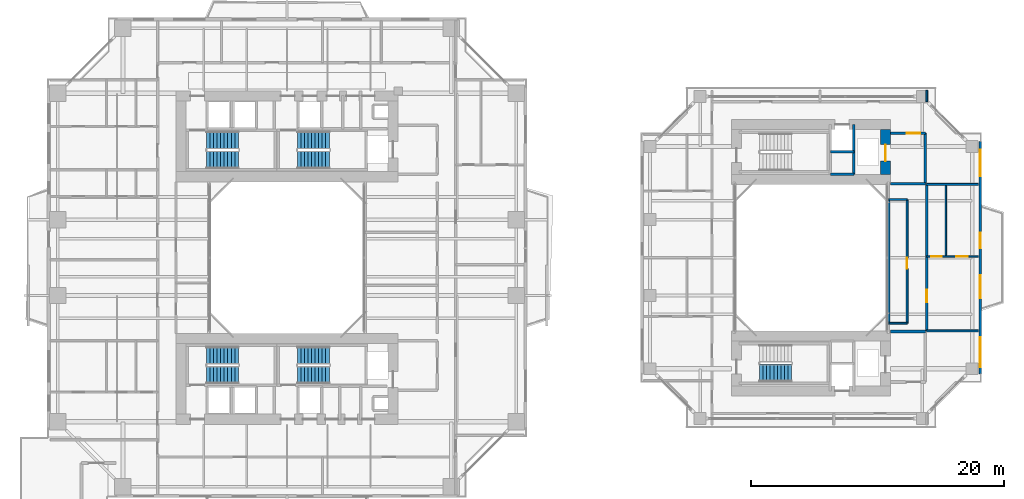
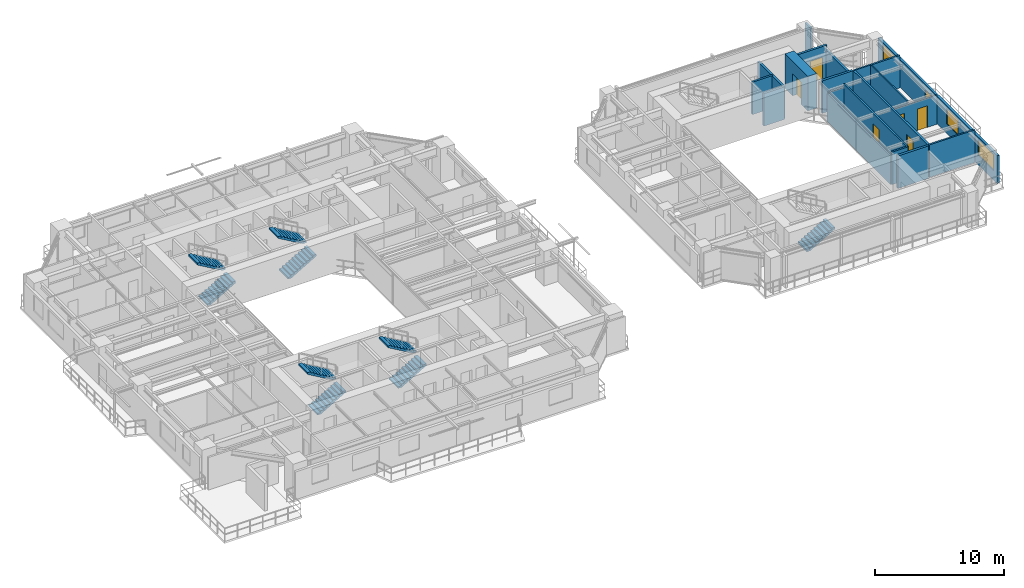
# One storey, part 18 of 24: 19 walls, 9 stair flights, 7 doors, 3 windows, 10 openings, 5 elements without a shape of their own.
"""IFC4 building model written with IfcOpenShell, lengths in metres."""

import ifcopenshell
import ifcopenshell.guid

model = None  # the IFC model being written
_history = None  # IfcOwnerHistory: only IFC2X3 demands one
_inside = {}  # id of a spatial element -> (the spatial element, [elements in it])
_under = {}  # id of a project, library or spatial element -> (it, [spatial elements below it])
_declared = {}  # id of a project -> (the project, [libraries it declares])
_typed = {}  # id of a type object -> (the type object, [elements of that type])
_made_of = {}  # id of a material, layer set ... -> (it, [elements and type objects made of it])


def new_model(schema):
    """Start an empty IFC model of exactly this schema.

    Asked for "IFC4X3", IfcOpenShell would pick the latest addendum, in which some entities
    have other attributes; the version numbers below select the first issue.
    IFC2X3 requires an IfcOwnerHistory on every rooted entity: one is made here for all.
    """
    global model, _history
    if schema == "IFC4X3":
        model = ifcopenshell.file(schema_version=(4, 3, 0, 0))
    else:
        model = ifcopenshell.file(schema=schema)
    _inside.clear()
    _under.clear()
    _declared.clear()
    _typed.clear()
    _made_of.clear()
    _history = None
    if model.schema == "IFC2X3":
        org = make("IfcOrganization", Name="unknown")
        user = make(
            "IfcPersonAndOrganization",
            ThePerson=make("IfcPerson", FamilyName="unknown"),
            TheOrganization=org,
        )
        app = make(
            "IfcApplication",
            ApplicationDeveloper=org,
            Version="unknown",
            ApplicationFullName="unknown",
            ApplicationIdentifier="unknown",
        )
        _history = make(
            "IfcOwnerHistory",
            OwningUser=user,
            OwningApplication=app,
            ChangeAction="ADDED",
            CreationDate=0,
        )
    return model


def make(cls, **values):
    """One entity of the class cls with the attributes given. An attribute that is None is left unset."""
    return model.create_entity(
        cls, **{name: value for name, value in values.items() if value is not None}
    )


def rooted(cls, **values):
    """An entity with a GlobalId (a new one), such as an element, a storey or a relation."""
    return make(cls, GlobalId=ifcopenshell.guid.new(), OwnerHistory=_history, **values)


def si_unit(unit_type, name, prefix=None):
    """IfcSIUnit, for example si_unit("LENGTHUNIT", "METRE", prefix="MILLI")."""
    return make("IfcSIUnit", UnitType=unit_type, Prefix=prefix, Name=name)


def assignment(units):
    """IfcUnitAssignment: the units of a project."""
    return None if units is None else make("IfcUnitAssignment", Units=units)


def point(xyz):
    """IfcCartesianPoint."""
    return None if xyz is None else make("IfcCartesianPoint", Coordinates=xyz)


def direction(xyz):
    """IfcDirection."""
    return None if xyz is None else make("IfcDirection", DirectionRatios=xyz)


def frame(location, z_axis=None, x_axis=None):
    """IfcAxis2Placement3D, a coordinate frame: its origin and axes. An axis left out is left unset."""
    return make(
        "IfcAxis2Placement3D",
        Location=point(location),
        Axis=direction(z_axis),
        RefDirection=direction(x_axis),
    )


def frame_2d(location, x_axis=None):
    """IfcAxis2Placement2D, a coordinate frame in the plane: its origin and x axis."""
    return make(
        "IfcAxis2Placement2D", Location=point(location), RefDirection=direction(x_axis)
    )


def origin():
    """The frame at (0, 0, 0) with its axes left unset."""
    return frame((0.0, 0.0, 0.0))


def place(relative_to, where):
    """IfcLocalPlacement: puts the frame where relative to a parent placement (None: the world)."""
    return make(
        "IfcLocalPlacement", PlacementRelTo=relative_to, RelativePlacement=where
    )


def context(
    kind, dimensions, precision=None, world=None, true_north=None, identifier=None
):
    """IfcGeometricRepresentationContext, for example the 3D "Model" context."""
    return make(
        "IfcGeometricRepresentationContext",
        ContextIdentifier=identifier,
        ContextType=kind,
        CoordinateSpaceDimension=dimensions,
        Precision=precision,
        WorldCoordinateSystem=world,
        TrueNorth=true_north,
    )


def subcontext(parent, identifier, kind, view, scale=None):
    """IfcGeometricRepresentationSubContext, for example "Body" below "Model"."""
    return make(
        "IfcGeometricRepresentationSubContext",
        ContextIdentifier=identifier,
        ContextType=kind,
        ParentContext=parent,
        TargetScale=scale,
        TargetView=view,
    )


def project(units=None, contexts=None):
    """IfcProject with its units and contexts."""
    return rooted(
        "IfcProject",
        Name="project",
        RepresentationContexts=contexts,
        UnitsInContext=assignment(units),
    )


def spatial(cls, under=None, at=None, **own):
    """A site, building, storey or space (cls), placed at a placement, below another one or the project."""
    s = rooted(cls, ObjectPlacement=at, **own)
    if under is not None:
        _under.setdefault(under.id(), (under, []))[1].append(s)
    return s


def polyline(points):
    """IfcPolyline through the points."""
    return make("IfcPolyline", Points=[point(p) for p in points])


def profile(cls, at=None, kind="AREA", **sizes):
    """A parametric profile (cls). Its sizes go by their IFC names, for example OverallWidth=200.0."""
    return make(cls, ProfileType=kind, Position=at, **sizes)


def rectangle(**sizes):
    """IfcRectangleProfileDef."""
    return profile("IfcRectangleProfileDef", **sizes)


def outline(outer, holes=None, kind="AREA"):
    """IfcArbitraryClosedProfileDef: a profile drawn as a closed curve; with holes, ...WithVoids."""
    if holes is None:
        return make("IfcArbitraryClosedProfileDef", ProfileType=kind, OuterCurve=outer)
    return make(
        "IfcArbitraryProfileDefWithVoids",
        ProfileType=kind,
        OuterCurve=outer,
        InnerCurves=holes,
    )


def extrude(swept, where, along, depth):
    """IfcExtrudedAreaSolid: the profile swept, set in the frame where, extruded along a direction by depth."""
    return make(
        "IfcExtrudedAreaSolid",
        SweptArea=swept,
        Position=where,
        ExtrudedDirection=direction(along),
        Depth=depth,
    )


def shape(context_of_items, identifier, shape_type, items):
    """IfcShapeRepresentation: the items that make up one representation, for example the "Body"."""
    return make(
        "IfcShapeRepresentation",
        ContextOfItems=context_of_items,
        RepresentationIdentifier=identifier,
        RepresentationType=shape_type,
        Items=items,
    )


def source(mapping_origin, context_of_items, identifier, shape_type, items):
    """IfcRepresentationMap: a shape defined once, which mapped items show again and again."""
    return make(
        "IfcRepresentationMap",
        MappingOrigin=mapping_origin,
        MappedRepresentation=shape(context_of_items, identifier, shape_type, items),
    )


def transform(
    local_origin,
    x_axis=None,
    y_axis=None,
    z_axis=None,
    scale=None,
    scale2=None,
    scale3=None,
    uniform=True,
):
    """IfcCartesianTransformationOperator3D, or its non-uniform kind. x_axis, y_axis, z_axis: its Axis1, 2, 3."""
    if uniform:
        return make(
            "IfcCartesianTransformationOperator3D",
            Axis1=direction(x_axis),
            Axis2=direction(y_axis),
            LocalOrigin=point(local_origin),
            Scale=scale,
            Axis3=direction(z_axis),
        )
    return make(
        "IfcCartesianTransformationOperator3DnonUniform",
        Axis1=direction(x_axis),
        Axis2=direction(y_axis),
        LocalOrigin=point(local_origin),
        Scale=scale,
        Axis3=direction(z_axis),
        Scale2=scale2,
        Scale3=scale3,
    )


def mapped(mapping_source, mapping_target):
    """IfcMappedItem: shows the shape of a source again, moved by a transform."""
    return make(
        "IfcMappedItem", MappingSource=mapping_source, MappingTarget=mapping_target
    )


def material(Name=None, Category=None):
    """IfcMaterial."""
    return make("IfcMaterial", Name=Name, Category=Category)


def layer(
    of_material, thickness, ventilated=None, Name=None, Category=None, Priority=None
):
    """IfcMaterialLayer: one layer of a wall or slab, of a material (None: an air gap)."""
    return make(
        "IfcMaterialLayer",
        Material=of_material,
        LayerThickness=thickness,
        IsVentilated=ventilated,
        Name=Name,
        Category=Category,
        Priority=Priority,
    )


def layer_set(layers, Name=None):
    """IfcMaterialLayerSet."""
    return make("IfcMaterialLayerSet", MaterialLayers=layers, LayerSetName=Name)


def made_of(thing, what):
    """Note that an element or type object is made of a material, layer set ...; save() writes the relation."""
    if what is not None:
        _made_of.setdefault(what.id(), (what, []))[1].append(thing)
    return thing


def type_object(cls, material=None, **own):
    """A type object (cls), such as IfcWallType, which elements share."""
    return made_of(rooted(cls, **own), material)


def element(
    cls,
    number,
    at=None,
    inside=None,
    cuts=None,
    type_object=None,
    material=None,
    context=None,
    identifier="Body",
    shape_type=None,
    held_by="IfcProductDefinitionShape",
    body=None,
    shapes=None,
    **own,
):
    """One element of the class cls, such as IfcWall. Its Tag is "e" and its number.

    at: its placement. inside: the storey or other place that contains it. cuts: it is an
    opening in that element (IfcRelVoidsElement). A single representation is given by context,
    identifier, shape_type and body (its items); several are given by shapes. held_by: the class
    of the entity that holds the representations. save() writes the other relations.
    """
    e = rooted(cls, Tag="e%d" % number, ObjectPlacement=at, **own)
    if body is not None:
        shapes = [shape(context, identifier, shape_type, body)]
    if shapes is not None:
        e.Representation = make(held_by, Representations=shapes)
    if inside is not None:
        _inside.setdefault(inside.id(), (inside, []))[1].append(e)
    if cuts is not None:
        rooted(
            "IfcRelVoidsElement", RelatingBuildingElement=cuts, RelatedOpeningElement=e
        )
    if type_object is not None:
        _typed.setdefault(type_object.id(), (type_object, []))[1].append(e)
    return made_of(e, material)


def fill(opening, filler):
    """IfcRelFillsElement: the door or window that sits in an opening."""
    return rooted(
        "IfcRelFillsElement",
        RelatingOpeningElement=opening,
        RelatedBuildingElement=filler,
    )


def aggregate(whole, parts):
    """IfcRelAggregates: a whole, such as a stair, and the parts it consists of."""
    return rooted("IfcRelAggregates", RelatingObject=whole, RelatedObjects=parts)


def save(model, path):
    """Write the relations noted so far, then the file.

    IfcRelAggregates (storeys below a building ...), IfcRelContainedInSpatialStructure (elements
    in a storey), IfcRelDefinesByType, IfcRelAssociatesMaterial and IfcRelDeclares: one each for
    every whole, place, type object, material and project.
    """
    for whole, parts in _under.values():
        aggregate(whole, parts)
    for where, things in _inside.values():
        rooted(
            "IfcRelContainedInSpatialStructure",
            RelatedElements=things,
            RelatingStructure=where,
        )
    for kind, things in _typed.values():
        rooted("IfcRelDefinesByType", RelatedObjects=things, RelatingType=kind)
    for what, things in _made_of.values():
        rooted("IfcRelAssociatesMaterial", RelatedObjects=things, RelatingMaterial=what)
    for by, libraries in _declared.values():
        rooted("IfcRelDeclares", RelatingContext=by, RelatedDefinitions=libraries)
    model.write(path)


model = new_model("IFC4")

# Units and contexts
model_context = context("Model", 3, precision=1e-05, world=origin(), true_north=direction((0.0, 1.0)))
body_context = subcontext(model_context, "Body", "Model", "MODEL_VIEW")
ifc_project = project(units=[si_unit("LENGTHUNIT", "METRE"), si_unit("AREAUNIT", "SQUARE_METRE"), si_unit("VOLUMEUNIT", "CUBIC_METRE"), si_unit("PLANEANGLEUNIT", "RADIAN"), si_unit("MASSUNIT", "GRAM", prefix="KILO"), si_unit("THERMODYNAMICTEMPERATUREUNIT", "KELVIN"), si_unit("POWERUNIT", "WATT")], contexts=[model_context])

# Site, building, storey
site_placement = place(None, origin())
site = spatial("IfcSite", under=ifc_project, at=site_placement, CompositionType="ELEMENT")
building_placement = place(site_placement, origin())
building = spatial("IfcBuilding", under=site, at=building_placement, Name="Qiaomeng Ring Towers", CompositionType="ELEMENT")
storey_placement = place(building_placement, frame((0.0, 0.0, 63.25)))
storey = spatial("IfcBuildingStorey", under=building, at=storey_placement, Name="L17", CompositionType="ELEMENT", Elevation=63.25)

# Wall, openings, windows, door
ifc_material_1 = material(Name="Precast concrete C40", Category="concrete")
ifc_layer_1 = layer(ifc_material_1, 0.219970703125, Name="Precast concrete C40")
ifc_layer_set_1 = layer_set([ifc_layer_1], Name="Precast concrete C40")
wall_type_1 = type_object("IfcWallType", Name="ARC-WL-EW2", PredefinedType="STANDARD", material=ifc_layer_set_1)
wall_1_placement = place(storey_placement, frame((73.889892578125, 13.800048828125, 0.0), z_axis=(0.0, 0.0, 1.0), x_axis=(0.0, 1.0, 0.0)))
wall_1 = element("IfcWall", 1, at=wall_1_placement, inside=storey, type_object=wall_type_1, Name="L17 Companion East Wall", PredefinedType="STANDARD", context=body_context, shape_type="SweptSolid", body=[
    extrude(rectangle(XDim=18.39990234375, YDim=0.219970703125, at=frame_2d((9.199951171875, 0.0))), origin(), (0.0, 0.0, 1.0), 2.610107421875),
])
opening_1_placement = place(wall_1_placement, frame((9.949951171875, 0.0, 0.0)))
opening_1 = element("IfcOpeningElement", 2, at=opening_1_placement, cuts=wall_1, Name="Opening BD1", PredefinedType="OPENING", context=body_context, shape_type="SweptSolid", body=[
    extrude(rectangle(XDim=1.199951171875, YDim=2.10009765625, at=frame_2d((0.60009765625, 1.050048828125))), frame((0.0, 0.119873046875, 0.0), z_axis=(0.0, -1.0, 0.0), x_axis=(1.0, 0.0, 0.0)), (0.0, 0.0, 1.0), 0.239990234375),
])
opening_2_placement = place(wall_1_placement, frame((0.507568359375, 0.0, 0.89990234375)))
opening_2 = element("IfcOpeningElement", 3, at=opening_2_placement, cuts=wall_1, Name="Opening WN6", PredefinedType="OPENING", context=body_context, shape_type="SweptSolid", body=[
    extrude(rectangle(XDim=2.39990234375, YDim=1.5, at=frame_2d((1.199951171875, 0.75))), frame((0.0, 0.119873046875, 0.0), z_axis=(0.0, -1.0, 0.0), x_axis=(1.0, 0.0, 0.0)), (0.0, 0.0, 1.0), 0.239990234375),
])
opening_3_placement = place(wall_1_placement, frame((6.0, 0.0, 0.89990234375)))
opening_3 = element("IfcOpeningElement", 4, at=opening_3_placement, cuts=wall_1, Name="Opening WN1", PredefinedType="OPENING", context=body_context, shape_type="SweptSolid", body=[
    extrude(rectangle(XDim=1.800048828125, YDim=1.449951171875, at=frame_2d((0.89990234375, 0.72509765625))), frame((0.0, 0.119873046875, 0.0), z_axis=(0.0, -1.0, 0.0), x_axis=(1.0, 0.0, 0.0)), (0.0, 0.0, 1.0), 0.239990234375),
])
opening_4_placement = place(wall_1_placement, frame((15.642578125, 0.0, 0.89990234375)))
opening_4 = element("IfcOpeningElement", 5, at=opening_4_placement, cuts=wall_1, Name="Opening WN4", PredefinedType="OPENING", context=body_context, shape_type="SweptSolid", body=[
    extrude(rectangle(XDim=2.10009765625, YDim=1.5, at=frame_2d((1.050048828125, 0.75))), frame((0.0, 0.119873046875, 0.0), z_axis=(0.0, -1.0, 0.0), x_axis=(1.0, 0.0, 0.0)), (0.0, 0.0, 1.0), 0.239990234375),
])
ifc_material_2 = material(Name="Low-E dark-grey laminated double glazing", Category="glass")
window_type_1 = type_object("IfcWindowType", Name="ARC-WN-4", PartitioningType="TRIPLE_PANEL_VERTICAL", PredefinedType="WINDOW", material=ifc_material_2)
shared_shape_1 = source(origin(), body_context, "Body", "SweptSolid", [
    extrude(rectangle(XDim=2.10009765625, YDim=1.5, at=frame_2d((1.050048828125, 0.75))), frame((0.0, 0.030029296875, 0.0), z_axis=(0.0, -1.0, 0.0), x_axis=(1.0, 0.0, 0.0)), (0.0, 0.0, 1.0), 0.06005859375),
])
window_1_placement = place(opening_4_placement, origin())
window_1 = element("IfcWindow", 6, at=window_1_placement, inside=storey, type_object=window_type_1, Name="L17 Exterior Window WN4", OverallHeight=1.5, OverallWidth=2.10009765625, PartitioningType="TRIPLE_PANEL_VERTICAL", PredefinedType="WINDOW", context=body_context, shape_type="MappedRepresentation", body=[
    mapped(shared_shape_1, transform((0.0, 0.0, 0.0), x_axis=(1.0, 0.0, 0.0), y_axis=(0.0, 1.0, 0.0), z_axis=(0.0, 0.0, 1.0), scale=1.0)),
])
fill(opening_4, window_1)
window_type_2 = type_object("IfcWindowType", Name="ARC-WN-1", PartitioningType="DOUBLE_PANEL_VERTICAL", PredefinedType="WINDOW", material=ifc_material_2)
shared_shape_2 = source(origin(), body_context, "Body", "SweptSolid", [
    extrude(rectangle(XDim=1.800048828125, YDim=1.449951171875, at=frame_2d((0.89990234375, 0.72509765625))), frame((0.0, 0.030029296875, 0.0), z_axis=(0.0, -1.0, 0.0), x_axis=(1.0, 0.0, 0.0)), (0.0, 0.0, 1.0), 0.06005859375),
])
window_2_placement = place(opening_3_placement, origin())
window_2 = element("IfcWindow", 7, at=window_2_placement, inside=storey, type_object=window_type_2, Name="L17 Exterior Window WN1", OverallHeight=1.449951171875, OverallWidth=1.800048828125, PartitioningType="DOUBLE_PANEL_VERTICAL", PredefinedType="WINDOW", context=body_context, shape_type="MappedRepresentation", body=[
    mapped(shared_shape_2, transform((0.0, 0.0, 0.0), x_axis=(1.0, 0.0, 0.0), y_axis=(0.0, 1.0, 0.0), z_axis=(0.0, 0.0, 1.0), scale=1.0)),
])
fill(opening_3, window_2)
door_type_1 = type_object("IfcDoorType", Name="ARC-DR-BD1", OperationType="NOTDEFINED", PredefinedType="DOOR", material=ifc_material_2)
shared_shape_3 = source(origin(), body_context, "Body", "SweptSolid", [
    extrude(rectangle(XDim=1.199951171875, YDim=2.10009765625, at=frame_2d((0.60009765625, 1.050048828125))), frame((0.0, 0.02490234375, 0.0), z_axis=(0.0, -1.0, 0.0), x_axis=(1.0, 0.0, 0.0)), (0.0, 0.0, 1.0), 0.050048828125),
])
door_1_placement = place(opening_1_placement, origin())
door_1 = element("IfcDoor", 8, at=door_1_placement, inside=storey, type_object=door_type_1, Name="L17 Companion East Balcony Door", OperationType="SINGLE_SWING_LEFT", OverallHeight=2.10009765625, OverallWidth=1.199951171875, PredefinedType="DOOR", context=body_context, shape_type="MappedRepresentation", body=[
    mapped(shared_shape_3, transform((0.0, 0.0, 0.0), x_axis=(1.0, 0.0, 0.0), y_axis=(0.0, 1.0, 0.0), z_axis=(0.0, 0.0, 1.0), scale=1.0)),
])
fill(opening_1, door_1)
window_type_3 = type_object("IfcWindowType", Name="ARC-WN-6", PartitioningType="TRIPLE_PANEL_VERTICAL", PredefinedType="WINDOW", material=ifc_material_2)
shared_shape_4 = source(origin(), body_context, "Body", "SweptSolid", [
    extrude(rectangle(XDim=2.39990234375, YDim=1.5, at=frame_2d((1.199951171875, 0.75))), frame((0.0, 0.030029296875, 0.0), z_axis=(0.0, -1.0, 0.0), x_axis=(1.0, 0.0, 0.0)), (0.0, 0.0, 1.0), 0.06005859375),
])
window_3_placement = place(opening_2_placement, origin())
window_3 = element("IfcWindow", 9, at=window_3_placement, inside=storey, type_object=window_type_3, Name="L17 Exterior Window WN6", OverallHeight=1.5, OverallWidth=2.39990234375, PartitioningType="TRIPLE_PANEL_VERTICAL", PredefinedType="WINDOW", context=body_context, shape_type="MappedRepresentation", body=[
    mapped(shared_shape_4, transform((0.0, 0.0, 0.0), x_axis=(1.0, 0.0, 0.0), y_axis=(0.0, 1.0, 0.0), z_axis=(0.0, 0.0, 1.0), scale=1.0)),
])
fill(opening_2, window_3)

# Walls
ifc_material_3 = material(Name="Autoclaved aerated concrete block", Category="concrete")
ifc_layer_2 = layer(ifc_material_3, 0.199951171875, Name="Autoclaved aerated concrete block")
ifc_layer_set_2 = layer_set([ifc_layer_2], Name="Autoclaved aerated concrete block")
wall_type_2 = type_object("IfcWallType", Name="ARC-WL-PW1", PredefinedType="PARTITIONING", material=ifc_layer_set_2)
wall_2_placement = place(storey_placement, frame((66.800048828125, 28.85009765625, 0.0), z_axis=(0.0, 0.0, 1.0), x_axis=(1.0, 0.0, 0.0)))
element("IfcWall", 10, at=wall_2_placement, inside=storey, type_object=wall_type_2, Name="L17 Interior Wall PW1", PredefinedType="PARTITIONING", context=body_context, shape_type="SweptSolid", body=[
    extrude(rectangle(XDim=2.75, YDim=0.199951171875, at=frame_2d((1.375, 0.0))), origin(), (0.0, 0.0, 1.0), 3.070068359375),
])
wall_3_placement = place(storey_placement, frame((69.550048828125, 28.85009765625, 0.0), z_axis=(0.0, 0.0, 1.0), x_axis=(0.0, 1.0, 0.0)))
element("IfcWall", 11, at=wall_3_placement, inside=storey, type_object=wall_type_2, Name="L17 Interior Wall PW1", PredefinedType="PARTITIONING", context=body_context, shape_type="SweptSolid", body=[
    extrude(rectangle(XDim=4.0, YDim=0.199951171875, at=frame_2d((2.0, 0.0))), origin(), (0.0, 0.0, 1.0), 2.614990234375),
])

# Wall, opening, door
wall_4_placement = place(storey_placement, frame((66.800048828125, 32.85009765625, 0.0), z_axis=(0.0, 0.0, 1.0), x_axis=(1.0, 0.0, 0.0)))
wall_4 = element("IfcWall", 12, at=wall_4_placement, inside=storey, type_object=wall_type_2, Name="L17 Interior Wall PW1", PredefinedType="PARTITIONING", context=body_context, shape_type="SweptSolid", body=[
    extrude(rectangle(XDim=2.75, YDim=0.199951171875, at=frame_2d((1.375, 0.0))), origin(), (0.0, 0.0, 1.0), 3.070068359375),
])
opening_5_placement = place(wall_4_placement, frame((1.25, 0.0, 0.0)))
opening_5 = element("IfcOpeningElement", 13, at=opening_5_placement, cuts=wall_4, Name="Opening FD3", PredefinedType="OPENING", context=body_context, shape_type="SweptSolid", body=[
    extrude(rectangle(XDim=1.10009765625, YDim=2.050048828125, at=frame_2d((0.550048828125, 1.02490234375))), frame((0.0, 0.10986328125, 0.0), z_axis=(0.0, -1.0, 0.0), x_axis=(1.0, 0.0, 0.0)), (0.0, 0.0, 1.0), 0.219970703125),
])
ifc_material_4 = material(Name="Galvanised steel", Category="steel")
door_type_2 = type_object("IfcDoorType", Name="ARC-DR-FD3", OperationType="NOTDEFINED", PredefinedType="DOOR", material=ifc_material_4)
shared_shape_5 = source(origin(), body_context, "Body", "SweptSolid", [
    extrude(rectangle(XDim=1.10009765625, YDim=2.050048828125, at=frame_2d((0.550048828125, 1.02490234375))), frame((0.0, 0.02490234375, 0.0), z_axis=(0.0, -1.0, 0.0), x_axis=(1.0, 0.0, 0.0)), (0.0, 0.0, 1.0), 0.050048828125),
])
door_2_placement = place(opening_5_placement, origin())
door_2 = element("IfcDoor", 14, at=door_2_placement, inside=storey, type_object=door_type_2, Name="L17 Door FD3", OperationType="SINGLE_SWING_LEFT", OverallHeight=2.050048828125, OverallWidth=1.10009765625, PredefinedType="DOOR", context=body_context, shape_type="MappedRepresentation", body=[
    mapped(shared_shape_5, transform((0.0, 0.0, 0.0), x_axis=(1.0, 0.0, 0.0), y_axis=(0.0, 1.0, 0.0), z_axis=(0.0, 0.0, 1.0), scale=1.0)),
])
fill(opening_5, door_2)

# Wall
wall_5_placement = place(storey_placement, frame((66.800048828125, 17.14990234375, 0.0), z_axis=(0.0, 0.0, 1.0), x_axis=(1.0, 0.0, 0.0)))
element("IfcWall", 15, at=wall_5_placement, inside=storey, type_object=wall_type_2, Name="L17 Interior Wall PW1", PredefinedType="PARTITIONING", context=body_context, shape_type="SweptSolid", body=[
    extrude(rectangle(XDim=2.75, YDim=0.199951171875, at=frame_2d((1.375, 0.0))), origin(), (0.0, 0.0, 1.0), 3.070068359375),
])

# Wall, opening, door
ifc_layer_3 = layer(ifc_material_3, 0.179931640625, Name="Autoclaved aerated concrete block")
ifc_layer_set_3 = layer_set([ifc_layer_3], Name="Autoclaved aerated concrete block")
wall_type_3 = type_object("IfcWallType", Name="ARC-WL-PW2", PredefinedType="PARTITIONING", material=ifc_layer_set_3)
wall_6_placement = place(storey_placement, frame((69.64990234375, 17.199951171875, 0.0), z_axis=(0.0, 0.0, 1.0), x_axis=(0.0, 1.0, 0.0)))
wall_6 = element("IfcWall", 16, at=wall_6_placement, inside=storey, type_object=wall_type_3, Name="L17 Interior Wall PW2", PredefinedType="PARTITIONING", context=body_context, shape_type="SweptSolid", body=[
    extrude(rectangle(XDim=11.60009765625, YDim=0.179931640625, at=frame_2d((5.800048828125, 0.0))), origin(), (0.0, 0.0, 1.0), 3.070068359375),
])
opening_6_placement = place(wall_6_placement, frame((2.260009765625, 0.0, 0.0)))
opening_6 = element("IfcOpeningElement", 17, at=opening_6_placement, cuts=wall_6, Name="Opening FD4", PredefinedType="OPENING", context=body_context, shape_type="SweptSolid", body=[
    extrude(rectangle(XDim=1.0, YDim=2.050048828125, at=frame_2d((0.5, 1.02490234375))), frame((0.0, 0.099853515625, 0.0), z_axis=(0.0, -1.0, 0.0), x_axis=(1.0, 0.0, 0.0)), (0.0, 0.0, 1.0), 0.199951171875),
])
ifc_material_5 = material(Name="Engineered fire-rated oak timber", Category="wood")
door_type_3 = type_object("IfcDoorType", Name="ARC-DR-FD4", OperationType="NOTDEFINED", PredefinedType="DOOR", material=ifc_material_5)
shared_shape_6 = source(origin(), body_context, "Body", "SweptSolid", [
    extrude(rectangle(XDim=1.0, YDim=2.050048828125, at=frame_2d((0.5, 1.02490234375))), frame((0.0, 0.02490234375, 0.0), z_axis=(0.0, -1.0, 0.0), x_axis=(1.0, 0.0, 0.0)), (0.0, 0.0, 1.0), 0.050048828125),
])
door_3_placement = place(opening_6_placement, origin())
door_3 = element("IfcDoor", 18, at=door_3_placement, inside=storey, type_object=door_type_3, Name="L17 Door FD4", OperationType="SINGLE_SWING_LEFT", OverallHeight=2.050048828125, OverallWidth=1.0, PredefinedType="DOOR", context=body_context, shape_type="MappedRepresentation", body=[
    mapped(shared_shape_6, transform((0.0, 0.0, 0.0), x_axis=(1.0, 0.0, 0.0), y_axis=(0.0, 1.0, 0.0), z_axis=(0.0, 0.0, 1.0), scale=1.0)),
])
fill(opening_6, door_3)

# Walls
ifc_material_6 = material(Name="Gypsum fireboard steel-stud partition", Category="steel")
ifc_layer_4 = layer(ifc_material_6, 0.14990234375, Name="Gypsum fireboard steel-stud partition")
ifc_layer_set_4 = layer_set([ifc_layer_4], Name="Gypsum fireboard steel-stud partition")
wall_type_4 = type_object("IfcWallType", Name="ARC-WL-PW3", PredefinedType="PARTITIONING", material=ifc_layer_set_4)
for number, where, z_axis, x_axis, name in (
    (19, (69.64990234375, 17.199951171875, 0.0), (0.0, 0.0, 1.0), (1.0, 0.0, 0.0), "L17 Interior Wall PW3"),
    (20, (69.64990234375, 28.800048828125, 0.0), (0.0, 0.0, 1.0), (1.0, 0.0, 0.0), "L17 Interior Wall PW3"),
):
    element("IfcWall", number, at=place(storey_placement, frame(where, z_axis=z_axis, x_axis=x_axis)), inside=storey, type_object=wall_type_4, Name=name, PredefinedType="PARTITIONING", context=body_context, shape_type="SweptSolid", body=[
        extrude(rectangle(XDim=4.10009765625, YDim=0.14990234375, at=frame_2d((2.050048828125, 0.0))), origin(), (0.0, 0.0, 1.0), 3.070068359375),
    ])

# Wall, opening, door
wall_7_placement = place(storey_placement, frame((68.10009765625, 17.800048828125, 0.0), z_axis=(0.0, 0.0, 1.0), x_axis=(0.0, 1.0, 0.0)))
wall_7 = element("IfcWall", 21, at=wall_7_placement, inside=storey, type_object=wall_type_4, Name="L17 Interior Wall PW3", PredefinedType="PARTITIONING", context=body_context, shape_type="SweptSolid", body=[
    extrude(rectangle(XDim=9.800048828125, YDim=0.14990234375, at=frame_2d((4.89990234375, 0.0))), origin(), (0.0, 0.0, 1.0), 3.070068359375),
])
opening_7_placement = place(wall_7_placement, frame((4.300048828125, 0.0, 0.0)))
opening_7 = element("IfcOpeningElement", 22, at=opening_7_placement, cuts=wall_7, Name="Opening ID1", PredefinedType="OPENING", context=body_context, shape_type="SweptSolid", body=[
    extrude(rectangle(XDim=0.89990234375, YDim=2.050048828125, at=frame_2d((0.449951171875, 1.02490234375))), frame((0.0, 0.0849609375, 0.0), z_axis=(0.0, -1.0, 0.0), x_axis=(1.0, 0.0, 0.0)), (0.0, 0.0, 1.0), 0.169921875),
])
ifc_material_7 = material(Name="Engineered oak timber", Category="wood")
door_type_4 = type_object("IfcDoorType", Name="ARC-DR-ID1", OperationType="NOTDEFINED", PredefinedType="DOOR", material=ifc_material_7)
shared_shape_7 = source(origin(), body_context, "Body", "SweptSolid", [
    extrude(rectangle(XDim=0.89990234375, YDim=2.050048828125, at=frame_2d((0.449951171875, 1.02490234375))), frame((0.0, 0.02490234375, 0.0), z_axis=(0.0, -1.0, 0.0), x_axis=(1.0, 0.0, 0.0)), (0.0, 0.0, 1.0), 0.050048828125),
])
door_4_placement = place(opening_7_placement, origin())
door_4 = element("IfcDoor", 23, at=door_4_placement, inside=storey, type_object=door_type_4, Name="L17 Door ID1", OperationType="SINGLE_SWING_RIGHT", OverallHeight=2.050048828125, OverallWidth=0.89990234375, PredefinedType="DOOR", context=body_context, shape_type="MappedRepresentation", body=[
    mapped(shared_shape_7, transform((0.0, 0.0, 0.0), x_axis=(1.0, 0.0, 0.0), y_axis=(0.0, 1.0, 0.0), z_axis=(0.0, 0.0, 1.0), scale=1.0)),
])
fill(opening_7, door_4)

# Walls
wall_8_placement = place(storey_placement, frame((66.64990234375, 27.60009765625, 0.0), z_axis=(0.0, 0.0, 1.0), x_axis=(1.0, 0.0, 0.0)))
element("IfcWall", 24, at=wall_8_placement, inside=storey, type_object=wall_type_4, Name="L17 Interior Wall PW3", PredefinedType="PARTITIONING", context=body_context, shape_type="SweptSolid", body=[
    extrude(rectangle(XDim=1.4501953125, YDim=0.14990234375, at=frame_2d((0.72509765625, 0.0))), origin(), (0.0, 0.0, 1.0), 2.77099609375),
])
wall_9_placement = place(storey_placement, frame((66.64990234375, 17.800048828125, 0.0), z_axis=(0.0, 0.0, 1.0), x_axis=(1.0, 0.0, 0.0)))
element("IfcWall", 25, at=wall_9_placement, inside=storey, type_object=wall_type_4, Name="L17 Interior Wall PW3", PredefinedType="PARTITIONING", context=body_context, shape_type="SweptSolid", body=[
    extrude(rectangle(XDim=1.4501953125, YDim=0.14990234375, at=frame_2d((0.72509765625, 0.0))), origin(), (0.0, 0.0, 1.0), 3.070068359375),
])
wall_10_placement = place(storey_placement, frame((66.64990234375, 17.800048828125, 0.0), z_axis=(0.0, 0.0, 1.0), x_axis=(0.0, 1.0, 0.0)))
element("IfcWall", 26, at=wall_10_placement, inside=storey, type_object=wall_type_4, Name="L17 Interior Wall PW3", PredefinedType="PARTITIONING", context=body_context, shape_type="SweptSolid", body=[
    extrude(rectangle(XDim=9.800048828125, YDim=0.14990234375, at=frame_2d((4.89990234375, 0.0))), origin(), (0.0, 0.0, 1.0), 2.6650390625),
])
wall_11_placement = place(storey_placement, frame((69.64990234375, 35.35009765625, 0.0), z_axis=(0.0, 0.0, 1.0), x_axis=(0.0, 1.0, 0.0)))
element("IfcWall", 27, at=wall_11_placement, inside=storey, type_object=wall_type_4, Name="L17 Interior Wall PW3", PredefinedType="PARTITIONING", context=body_context, shape_type="SweptSolid", body=[
    extrude(rectangle(XDim=0.89990234375, YDim=0.14990234375, at=frame_2d((0.449951171875, 0.0))), origin(), (0.0, 0.0, 1.0), 3.070068359375),
])

# Wall, openings, doors
ifc_material_8 = material(Name="Moisture-resistant gypsum steel-stud partition", Category="steel")
ifc_layer_5 = layer(ifc_material_8, 0.1201171875, Name="Moisture-resistant gypsum steel-stud partition")
ifc_layer_set_5 = layer_set([ifc_layer_5], Name="Moisture-resistant gypsum steel-stud partition")
wall_type_5 = type_object("IfcWallType", Name="ARC-WL-PW4", PredefinedType="PLUMBINGWALL", material=ifc_layer_set_5)
wall_12_placement = place(storey_placement, frame((69.64990234375, 23.10009765625, 0.0), z_axis=(0.0, 0.0, 1.0), x_axis=(1.0, 0.0, 0.0)))
wall_12 = element("IfcWall", 28, at=wall_12_placement, inside=storey, type_object=wall_type_5, Name="L17 Interior Wall PW4", PredefinedType="PLUMBINGWALL", context=body_context, shape_type="SweptSolid", body=[
    extrude(rectangle(XDim=4.10009765625, YDim=0.1201171875, at=frame_2d((2.050048828125, 0.0))), origin(), (0.0, 0.0, 1.0), 2.77099609375),
])
opening_8_placement = place(wall_12_placement, frame((0.344970703125, 0.0, 0.0)))
opening_8 = element("IfcOpeningElement", 29, at=opening_8_placement, cuts=wall_12, Name="Opening ID2", PredefinedType="OPENING", context=body_context, shape_type="SweptSolid", body=[
    extrude(rectangle(XDim=0.85009765625, YDim=2.050048828125, at=frame_2d((0.425048828125, 1.02490234375))), frame((0.0, 0.070068359375, 0.0), z_axis=(0.0, -1.0, 0.0), x_axis=(1.0, 0.0, 0.0)), (0.0, 0.0, 1.0), 0.14013671875),
])
opening_9_placement = place(wall_12_placement, frame((2.35009765625, 0.0, 0.0)))
opening_9 = element("IfcOpeningElement", 30, at=opening_9_placement, cuts=wall_12, Name="Opening ID1", PredefinedType="OPENING", context=body_context, shape_type="SweptSolid", body=[
    extrude(rectangle(XDim=0.89990234375, YDim=2.050048828125, at=frame_2d((0.449951171875, 1.02490234375))), frame((0.0, 0.070068359375, 0.0), z_axis=(0.0, -1.0, 0.0), x_axis=(1.0, 0.0, 0.0)), (0.0, 0.0, 1.0), 0.14013671875),
])
ifc_material_9 = material(Name="Moisture-resistant engineered timber", Category="wood")
door_type_5 = type_object("IfcDoorType", Name="ARC-DR-ID2", OperationType="NOTDEFINED", PredefinedType="DOOR", material=ifc_material_9)
shared_shape_8 = source(origin(), body_context, "Body", "SweptSolid", [
    extrude(rectangle(XDim=0.85009765625, YDim=2.050048828125, at=frame_2d((0.425048828125, 1.02490234375))), frame((0.0, 0.02490234375, 0.0), z_axis=(0.0, -1.0, 0.0), x_axis=(1.0, 0.0, 0.0)), (0.0, 0.0, 1.0), 0.050048828125),
])
door_5_placement = place(opening_8_placement, origin())
door_5 = element("IfcDoor", 31, at=door_5_placement, inside=storey, type_object=door_type_5, Name="L17 Door ID2", OperationType="SINGLE_SWING_LEFT", OverallHeight=2.050048828125, OverallWidth=0.85009765625, PredefinedType="DOOR", context=body_context, shape_type="MappedRepresentation", body=[
    mapped(shared_shape_8, transform((0.0, 0.0, 0.0), x_axis=(1.0, 0.0, 0.0), y_axis=(0.0, 1.0, 0.0), z_axis=(0.0, 0.0, 1.0), scale=1.0)),
])
fill(opening_8, door_5)
door_6_placement = place(opening_9_placement, origin())
door_6 = element("IfcDoor", 32, at=door_6_placement, inside=storey, type_object=door_type_4, Name="L17 Door ID1", OperationType="SINGLE_SWING_RIGHT", OverallHeight=2.050048828125, OverallWidth=0.89990234375, PredefinedType="DOOR", context=body_context, shape_type="MappedRepresentation", body=[
    mapped(shared_shape_7, transform((0.0, 0.0, 0.0), x_axis=(1.0, 0.0, 0.0), y_axis=(0.0, 1.0, 0.0), z_axis=(0.0, 0.0, 1.0), scale=1.0)),
])
fill(opening_9, door_6)

# Walls
wall_13_placement = place(storey_placement, frame((71.169921875, 23.10009765625, 0.0), z_axis=(0.0, 0.0, 1.0), x_axis=(0.0, 1.0, 0.0)))
element("IfcWall", 33, at=wall_13_placement, inside=storey, type_object=wall_type_5, Name="L17 Interior Wall PW4", PredefinedType="PLUMBINGWALL", context=body_context, shape_type="SweptSolid", body=[
    extrude(rectangle(XDim=5.699951171875, YDim=0.1201171875, at=frame_2d((2.85009765625, 0.0))), origin(), (0.0, 0.0, 1.0), 3.070068359375),
])
ifc_material_10 = material(Name="Concrete C40", Category="concrete")
ifc_layer_6 = layer(ifc_material_10, 0.199951171875, Name="Concrete C40")
ifc_layer_set_6 = layer_set([ifc_layer_6], Name="Concrete C40")
wall_type_6 = type_object("IfcWallType", Name="STR-WL-STSHAFT", PredefinedType="SHEAR", material=ifc_layer_set_6)
wall_14_placement = place(storey_placement, frame((63.8798828125, 29.60009765625, 0.0), z_axis=(0.0, 0.0, 1.0), x_axis=(0.0, 1.0, 0.0)))
element("IfcWall", 34, at=wall_14_placement, inside=storey, type_object=wall_type_6, Name="L17 Companion Lift Shaft East Wall N", PredefinedType="SHEAR", context=body_context, shape_type="SweptSolid", body=[
    extrude(rectangle(XDim=3.949951171875, YDim=0.179931640625, at=frame_2d((1.97509765625, 0.0))), origin(), (0.0, 0.0, 1.0), 3.070068359375),
])
for number, where, z_axis, x_axis, name in (
    (35, (62.02001953125, 31.3798828125, 0.0), (0.0, 0.0, 1.0), (1.0, 0.0, 0.0), "L17 Companion Lift Shaft Divider Wall N"),
    (36, (62.02001953125, 29.60009765625, 0.0), (0.0, 0.0, 1.0), (1.0, 0.0, 0.0), "L17 Companion Riser Shaft Back Wall N"),
):
    element("IfcWall", number, at=place(storey_placement, frame(where, z_axis=z_axis, x_axis=x_axis)), inside=storey, type_object=wall_type_6, Name=name, PredefinedType="SHEAR", context=body_context, shape_type="SweptSolid", body=[
        extrude(rectangle(XDim=1.85986328125, YDim=0.179931640625, at=frame_2d((0.929931640625, 0.0))), origin(), (0.0, 0.0, 1.0), 3.070068359375),
    ])

# Wall, opening, door
ifc_material_11 = material(Name="Concrete C60", Category="concrete")
ifc_layer_7 = layer(ifc_material_11, 0.800048828125, Name="Concrete C60")
ifc_layer_set_7 = layer_set([ifc_layer_7], Name="Concrete C60")
wall_type_7 = type_object("IfcWallType", Name="STR-WL-SW1", PredefinedType="SHEAR", material=ifc_layer_set_7)
wall_15_placement = place(storey_placement, frame((66.39990234375, 29.60009765625, 0.0), z_axis=(0.0, 0.0, 1.0), x_axis=(0.0, 1.0, 0.0)))
wall_15 = element("IfcWall", 37, at=wall_15_placement, inside=storey, type_object=wall_type_7, Name="L17 T2NC east core shear wall", PredefinedType="SHEAR", context=body_context, shape_type="SweptSolid", body=[
    extrude(rectangle(XDim=3.5498046875, YDim=0.800048828125, at=frame_2d((1.77490234375, 0.0))), origin(), (0.0, 0.0, 1.0), 3.25),
])
opening_10_placement = place(wall_15_placement, frame((1.050048828125, 0.0, 0.0)))
opening_10 = element("IfcOpeningElement", 38, at=opening_10_placement, cuts=wall_15, Name="Opening LD2", PredefinedType="OPENING", context=body_context, shape_type="SweptSolid", body=[
    extrude(rectangle(XDim=1.300048828125, YDim=2.050048828125, at=frame_2d((0.64990234375, 1.02490234375))), frame((0.0, 0.409912109375, 0.0), z_axis=(0.0, -1.0, 0.0), x_axis=(1.0, 0.0, 0.0)), (0.0, 0.0, 1.0), 0.820068359375),
])
ifc_material_12 = material(Name="Stainless steel 316", Category="steel")
door_type_6 = type_object("IfcDoorType", Name="ARC-DR-LD2", OperationType="NOTDEFINED", PredefinedType="DOOR", material=ifc_material_12)
shared_shape_9 = source(origin(), body_context, "Body", "SweptSolid", [
    extrude(rectangle(XDim=1.300048828125, YDim=2.050048828125, at=frame_2d((0.64990234375, 1.02490234375))), frame((0.0, 0.02490234375, 0.0), z_axis=(0.0, -1.0, 0.0), x_axis=(1.0, 0.0, 0.0)), (0.0, 0.0, 1.0), 0.050048828125),
])
door_7_placement = place(opening_10_placement, origin())
door_7 = element("IfcDoor", 39, at=door_7_placement, inside=storey, type_object=door_type_6, Name="L17 Firefighting Lift FL3 Landing Door", OperationType="SLIDING_TO_LEFT", OverallHeight=2.050048828125, OverallWidth=1.300048828125, PredefinedType="DOOR", context=body_context, shape_type="MappedRepresentation", body=[
    mapped(shared_shape_9, transform((0.0, 0.0, 0.0), x_axis=(1.0, 0.0, 0.0), y_axis=(0.0, 1.0, 0.0), z_axis=(0.0, 0.0, 1.0), scale=1.0)),
])
fill(opening_10, door_7)

# Stair, stair flights
stair_type = type_object("IfcStairType", Name="ARC-ST-325", PredefinedType="HALF_TURN_STAIR", material=ifc_material_1)
stair_1_placement = place(storey_placement, origin())
stair_1 = element("IfcStair", 40, at=stair_1_placement, inside=storey, type_object=stair_type, Name="L17 Tower 1 North Stair 1", PredefinedType="HALF_TURN_STAIR")
stair_flight_type = type_object("IfcStairFlightType", Name="ARC-ST-325-FL", PredefinedType="STRAIGHT", material=ifc_material_1)
shared_shape_10 = source(origin(), body_context, "Body", "SweptSolid", [
    extrude(outline(polyline([(0.0, 0.0), (0.0, 0.16259765625), (0.280029296875, 0.16259765625), (0.280029296875, 0.324951171875), (0.56005859375, 0.324951171875), (0.56005859375, 0.487548828125), (0.840087890625, 0.487548828125), (0.840087890625, 0.64990234375), (1.1201171875, 0.64990234375), (1.1201171875, 0.8125), (1.39990234375, 0.8125), (1.39990234375, 0.97509765625), (1.679931640625, 0.97509765625), (1.679931640625, 1.137451171875), (1.9599609375, 1.137451171875), (1.9599609375, 1.300048828125), (2.239990234375, 1.300048828125), (2.239990234375, 1.46240234375), (2.52001953125, 1.46240234375), (2.52001953125, 1.625), (2.52001953125, 1.2890625), (0.298583984375, 0.0), (0.0, 0.0)])), frame((0.0, 0.699951171875, 0.0), z_axis=(0.0, -1.0, 0.0), x_axis=(1.0, 0.0, 0.0)), (0.0, 0.0, 1.0), 1.39990234375),
])
stair_flight_1_placement = place(storey_placement, frame((12.6201171875, 30.75, 0.0), z_axis=(0.0, 0.0, 1.0), x_axis=(1.0, 0.0, 0.0)))
stair_flight_1 = element("IfcStairFlight", 41, at=stair_flight_1_placement, type_object=stair_flight_type, Name="ST1 flight 1", NumberOfRisers=10, NumberOfTreads=9, PredefinedType="STRAIGHT", RiserHeight=0.1625, TreadLength=0.28, context=body_context, shape_type="MappedRepresentation", body=[
    mapped(shared_shape_10, transform((0.0, 0.0, 0.0), x_axis=(1.0, 0.0, 0.0), y_axis=(0.0, 1.0, 0.0), z_axis=(0.0, 0.0, 1.0), scale=1.0)),
])
stair_flight_2_placement = place(storey_placement, frame((15.139892578125, 32.2900390625, 1.625), z_axis=(0.0, 0.0, 1.0), x_axis=(-1.0, 0.0, 0.0)))
stair_flight_2 = element("IfcStairFlight", 42, at=stair_flight_2_placement, type_object=stair_flight_type, Name="ST1 flight 2", NumberOfRisers=10, NumberOfTreads=9, PredefinedType="STRAIGHT", RiserHeight=0.1625, TreadLength=0.28, context=body_context, shape_type="MappedRepresentation", body=[
    mapped(shared_shape_10, transform((0.0, 0.0, 0.0), x_axis=(1.0, 0.0, 0.0), y_axis=(0.0, 1.0, 0.0), z_axis=(0.0, 0.0, 1.0), scale=1.0)),
])
aggregate(stair_1, [stair_flight_1, stair_flight_2])

stair_2_placement = place(storey_placement, origin())
stair_2 = element("IfcStair", 43, at=stair_2_placement, inside=storey, type_object=stair_type, Name="L17 Tower 1 North Stair 2", PredefinedType="HALF_TURN_STAIR")
stair_flight_3_placement = place(storey_placement, frame((19.820068359375, 30.75, 0.0), z_axis=(0.0, 0.0, 1.0), x_axis=(1.0, 0.0, 0.0)))
stair_flight_3 = element("IfcStairFlight", 44, at=stair_flight_3_placement, type_object=stair_flight_type, Name="ST2 flight 1", NumberOfRisers=10, NumberOfTreads=9, PredefinedType="STRAIGHT", RiserHeight=0.1625, TreadLength=0.28, context=body_context, shape_type="MappedRepresentation", body=[
    mapped(shared_shape_10, transform((0.0, 0.0, 0.0), x_axis=(1.0, 0.0, 0.0), y_axis=(0.0, 1.0, 0.0), z_axis=(0.0, 0.0, 1.0), scale=1.0)),
])
stair_flight_4_placement = place(storey_placement, frame((22.340087890625, 32.2900390625, 1.625), z_axis=(0.0, 0.0, 1.0), x_axis=(-1.0, 0.0, 0.0)))
stair_flight_4 = element("IfcStairFlight", 45, at=stair_flight_4_placement, type_object=stair_flight_type, Name="ST2 flight 2", NumberOfRisers=10, NumberOfTreads=9, PredefinedType="STRAIGHT", RiserHeight=0.1625, TreadLength=0.28, context=body_context, shape_type="MappedRepresentation", body=[
    mapped(shared_shape_10, transform((0.0, 0.0, 0.0), x_axis=(1.0, 0.0, 0.0), y_axis=(0.0, 1.0, 0.0), z_axis=(0.0, 0.0, 1.0), scale=1.0)),
])
aggregate(stair_2, [stair_flight_3, stair_flight_4])

stair_3_placement = place(storey_placement, origin())
stair_3 = element("IfcStair", 46, at=stair_3_placement, inside=storey, type_object=stair_type, Name="L17 Tower 1 South Stair 3", PredefinedType="HALF_TURN_STAIR")
stair_flight_5_placement = place(storey_placement, frame((12.6201171875, 13.7099609375, 0.0), z_axis=(0.0, 0.0, 1.0), x_axis=(1.0, 0.0, 0.0)))
stair_flight_5 = element("IfcStairFlight", 47, at=stair_flight_5_placement, type_object=stair_flight_type, Name="ST3 flight 1", NumberOfRisers=10, NumberOfTreads=9, PredefinedType="STRAIGHT", RiserHeight=0.1625, TreadLength=0.28, context=body_context, shape_type="MappedRepresentation", body=[
    mapped(shared_shape_10, transform((0.0, 0.0, 0.0), x_axis=(1.0, 0.0, 0.0), y_axis=(0.0, 1.0, 0.0), z_axis=(0.0, 0.0, 1.0), scale=1.0)),
])
stair_flight_6_placement = place(storey_placement, frame((15.139892578125, 15.25, 1.625), z_axis=(0.0, 0.0, 1.0), x_axis=(-1.0, 0.0, 0.0)))
stair_flight_6 = element("IfcStairFlight", 48, at=stair_flight_6_placement, type_object=stair_flight_type, Name="ST3 flight 2", NumberOfRisers=10, NumberOfTreads=9, PredefinedType="STRAIGHT", RiserHeight=0.1625, TreadLength=0.28, context=body_context, shape_type="MappedRepresentation", body=[
    mapped(shared_shape_10, transform((0.0, 0.0, 0.0), x_axis=(1.0, 0.0, 0.0), y_axis=(0.0, 1.0, 0.0), z_axis=(0.0, 0.0, 1.0), scale=1.0)),
])
aggregate(stair_3, [stair_flight_5, stair_flight_6])

stair_4_placement = place(storey_placement, origin())
stair_4 = element("IfcStair", 49, at=stair_4_placement, inside=storey, type_object=stair_type, Name="L17 Tower 1 South Stair 4", PredefinedType="HALF_TURN_STAIR")
stair_flight_7_placement = place(storey_placement, frame((19.820068359375, 13.7099609375, 0.0), z_axis=(0.0, 0.0, 1.0), x_axis=(1.0, 0.0, 0.0)))
stair_flight_7 = element("IfcStairFlight", 50, at=stair_flight_7_placement, type_object=stair_flight_type, Name="ST4 flight 1", NumberOfRisers=10, NumberOfTreads=9, PredefinedType="STRAIGHT", RiserHeight=0.1625, TreadLength=0.28, context=body_context, shape_type="MappedRepresentation", body=[
    mapped(shared_shape_10, transform((0.0, 0.0, 0.0), x_axis=(1.0, 0.0, 0.0), y_axis=(0.0, 1.0, 0.0), z_axis=(0.0, 0.0, 1.0), scale=1.0)),
])
stair_flight_8_placement = place(storey_placement, frame((22.340087890625, 15.25, 1.625), z_axis=(0.0, 0.0, 1.0), x_axis=(-1.0, 0.0, 0.0)))
stair_flight_8 = element("IfcStairFlight", 51, at=stair_flight_8_placement, type_object=stair_flight_type, Name="ST4 flight 2", NumberOfRisers=10, NumberOfTreads=9, PredefinedType="STRAIGHT", RiserHeight=0.1625, TreadLength=0.28, context=body_context, shape_type="MappedRepresentation", body=[
    mapped(shared_shape_10, transform((0.0, 0.0, 0.0), x_axis=(1.0, 0.0, 0.0), y_axis=(0.0, 1.0, 0.0), z_axis=(0.0, 0.0, 1.0), scale=1.0)),
])
aggregate(stair_4, [stair_flight_7, stair_flight_8])

# Stair, stair flight
stair_5_placement = place(storey_placement, origin())
stair_5 = element("IfcStair", 52, at=stair_5_placement, inside=storey, type_object=stair_type, Name="L17 Companion South Stair 6", PredefinedType="HALF_TURN_STAIR")
stair_flight_9_placement = place(storey_placement, frame((56.419921875, 13.860107421875, 0.0), z_axis=(0.0, 0.0, 1.0), x_axis=(1.0, 0.0, 0.0)))
stair_flight_9 = element("IfcStairFlight", 53, at=stair_flight_9_placement, type_object=stair_flight_type, Name="ST6 flight 1", NumberOfRisers=10, NumberOfTreads=9, PredefinedType="STRAIGHT", RiserHeight=0.1625, TreadLength=0.28, context=body_context, shape_type="MappedRepresentation", body=[
    mapped(shared_shape_10, transform((0.0, 0.0, 0.0), x_axis=(1.0, 0.0, 0.0), y_axis=(0.0, 1.0, 0.0), z_axis=(0.0, 0.0, 1.0), scale=1.0)),
])
aggregate(stair_5, [stair_flight_9])

save(model, "model.ifc")
